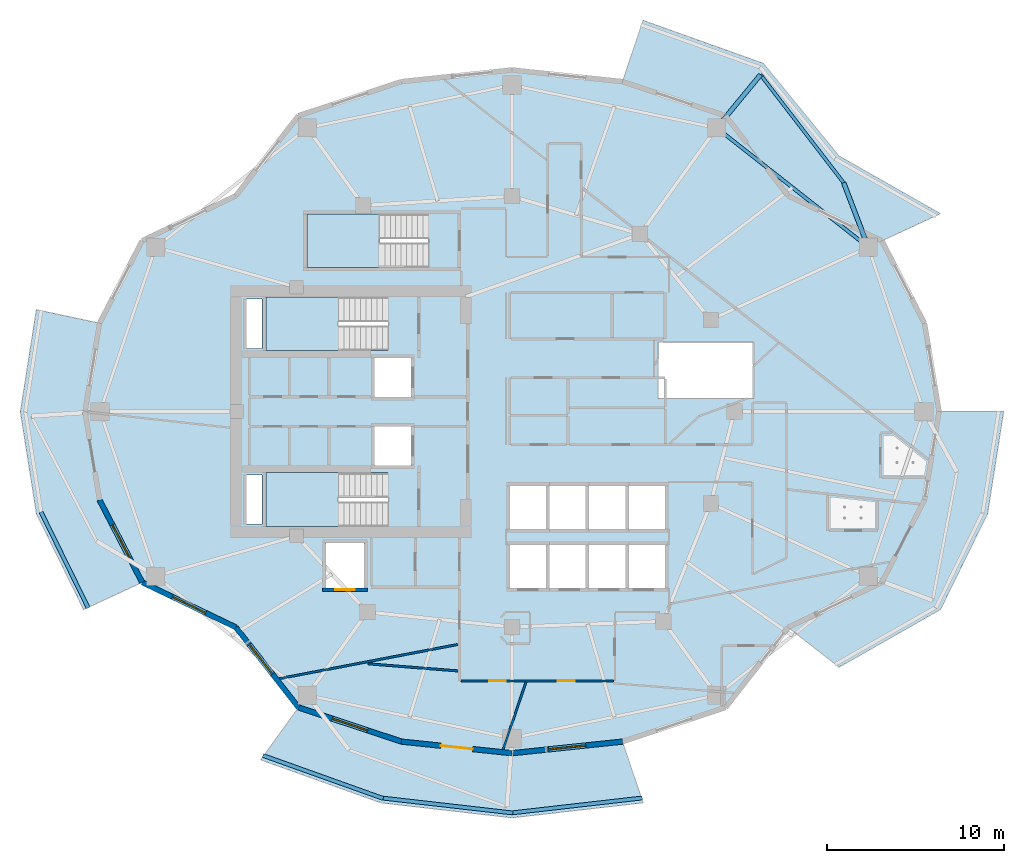
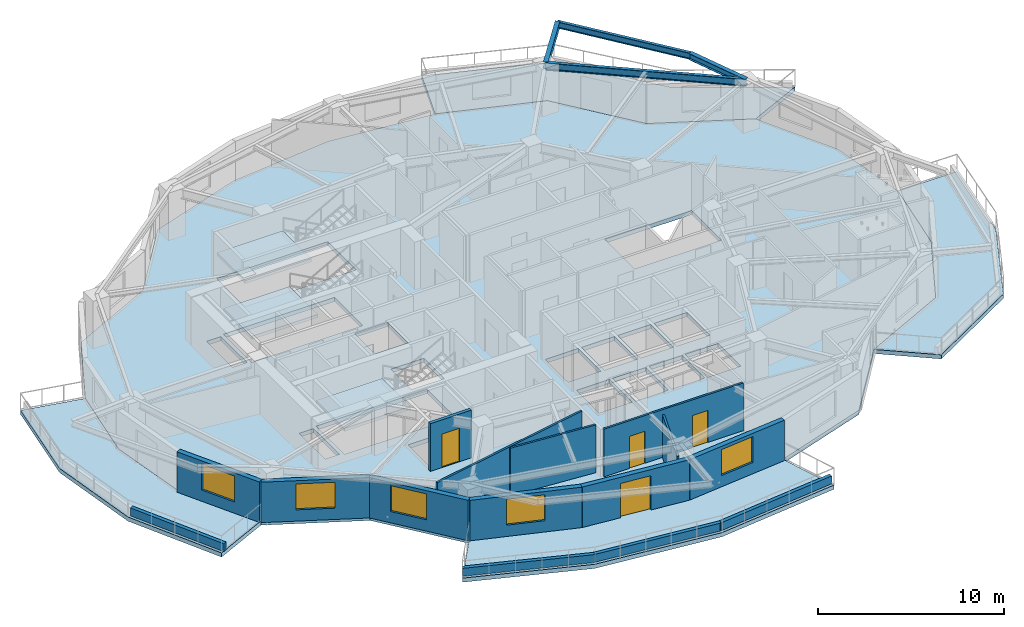
# One storey, part 2 of 14: 15 walls, 8 slabs, 5 windows, 4 beams, 4 doors, 9 openings, 3 elements without a shape of their own.
"""IFC4 building model written with IfcOpenShell, lengths in metres."""

from ifc_helpers import new_model, si_unit, direction, frame, frame_2d, origin, origin_2d, place, context, subcontext, project, spatial, polyline, rectangle, i_section, outline, extrude, material, layer, layer_set, material_profile, profile_set, type_object, element, fill, aggregate, save


model = new_model("IFC4")

# Units and contexts
model_context = context("Model", 3, precision=1e-05, world=origin(), true_north=direction((0.0, 1.0)))
body_context = subcontext(model_context, "Body", "Model", "MODEL_VIEW")
ifc_project = project(units=[si_unit("LENGTHUNIT", "METRE"), si_unit("AREAUNIT", "SQUARE_METRE"), si_unit("VOLUMEUNIT", "CUBIC_METRE"), si_unit("PLANEANGLEUNIT", "RADIAN"), si_unit("MASSUNIT", "GRAM", prefix="KILO")], contexts=[model_context])

# Site, building, storey
site_placement = place(None, origin())
site = spatial("IfcSite", under=ifc_project, at=site_placement, CompositionType="ELEMENT")
building_placement = place(site_placement, origin())
building = spatial("IfcBuilding", under=site, at=building_placement, Name="Kolvaren Gate Tower and Convention Centre", CompositionType="ELEMENT")
storey_placement = place(building_placement, frame((0.0, 0.0, 112.10009765625)))
storey = spatial("IfcBuildingStorey", under=building, at=storey_placement, Name="L27", CompositionType="ELEMENT", Elevation=112.10009765625)

# Beams
ifc_material_1 = material(Name="Structural steel ASTM A992 Grade 345 MPa", Category="steel")
ifc_material_profile_1 = material_profile(ifc_material_1, i_section(OverallWidth=0.260009765625, OverallDepth=0.419921875, WebThickness=0.013427734375, FlangeThickness=0.0224609375, at=origin_2d()), Name="W410X132")
ifc_profile_set_1 = profile_set([ifc_material_profile_1], Name="Structural steel ASTM A992 Grade 345 MPa")
beam_type_1 = type_object("IfcBeamType", Name="STR-BM-W410X132", PredefinedType="BEAM", material=ifc_profile_set_1)
for number, where, z_axis, x_axis, name in (
    (1, (50.30029296875, 36.318603515625, 2.92041015625), (-0.356078629863, 0.934455996479, 0.0), (-0.934455996479, -0.356078629863, 0.0), "Tower L28 Planted Balcony Outrigger Cantilever BC-1A"),
    (2, (41.721435546875, 43.068359375, 2.92041015625), (0.635777466799, 0.771872407014, 0.0), (-0.771872407014, 0.635777466799, 0.0), "Tower L28 Planted Balcony Outrigger Cantilever BC-1B"),
):
    element("IfcBeam", number, at=place(storey_placement, frame(where, z_axis=z_axis, x_axis=x_axis)), inside=storey, type_object=beam_type_1, Name=name, PredefinedType="BEAM", context=body_context, shape_type="SweptSolid", body=[
        extrude(i_section(OverallWidth=0.260009765625, OverallDepth=0.419921875, WebThickness=0.013427734375, FlangeThickness=0.0224609375, at=origin_2d()), origin(), (0.0, 0.0, 1.0), 3.89990234375),
    ])
ifc_material_profile_2 = material_profile(ifc_material_1, i_section(OverallWidth=0.180908203125, OverallDepth=0.4169921875, WebThickness=0.010986328125, FlangeThickness=0.018310546875, at=origin_2d()), Name="W410X85")
ifc_profile_set_2 = profile_set([ifc_material_profile_2], Name="Structural steel ASTM A992 Grade 345 MPa")
beam_type_2 = type_object("IfcBeamType", Name="STR-SP-W410X85", PredefinedType="SPANDREL", material=ifc_profile_set_2)
beam_1_placement = place(storey_placement, frame((48.91162109375, 39.962890625, 2.921875), z_axis=(-0.610222644788, 0.792229969004, 0.0), x_axis=(-0.792229969004, -0.610222644788, 0.0)))
element("IfcBeam", 3, at=beam_1_placement, inside=storey, type_object=beam_type_2, Name="Tower L28 Planted Balcony Header Tie Beam BT-1", PredefinedType="SPANDREL", context=body_context, shape_type="SweptSolid", body=[
    extrude(i_section(OverallWidth=0.180908203125, OverallDepth=0.4169921875, WebThickness=0.010986328125, FlangeThickness=0.018310546875, at=origin_2d()), origin(), (0.0, 0.0, 1.0), 7.7197265625),
])
ifc_material_profile_3 = material_profile(ifc_material_1, i_section(OverallWidth=0.194091796875, OverallDepth=0.468994140625, WebThickness=0.0126953125, FlangeThickness=0.0205078125, at=origin_2d()), Name="W460X106")
ifc_profile_set_3 = profile_set([ifc_material_profile_3], Name="Structural steel ASTM A992 Grade 345 MPa")
beam_type_3 = type_object("IfcBeamType", Name="STR-SP-W460X106", PredefinedType="SPANDREL", material=ifc_profile_set_3)
beam_2_placement = place(storey_placement, frame((50.30029296875, 36.318603515625, 2.8955078125), z_axis=(-0.785907610354, 0.618343939881, 0.0), x_axis=(-0.618343939881, -0.785907610354, 0.0)))
element("IfcBeam", 4, at=beam_2_placement, inside=storey, type_object=beam_type_3, Name="Tower L27 Perimeter Spandrel Beam SP-02", PredefinedType="SPANDREL", context=body_context, shape_type="SweptSolid", body=[
    extrude(i_section(OverallWidth=0.194091796875, OverallDepth=0.468994140625, WebThickness=0.0126953125, FlangeThickness=0.0205078125, at=origin_2d()), origin(), (0.0, 0.0, 1.0), 10.915771484375),
])

# Slabs
ifc_material_2 = material(Name="Concrete C50/60", Category="concrete")
ifc_layer_1 = layer(ifc_material_2, 0.27001953125)
ifc_layer_set_1 = layer_set([ifc_layer_1], Name="Concrete C50/60")
slab_type_1 = type_object("IfcSlabType", Name="STR-SL-BALC-270", PredefinedType="FLOOR", material=ifc_layer_set_1)
slab_1_placement = place(storey_placement, frame((0.0, 0.0, -0.27001953125)))
element("IfcSlab", 5, at=slab_1_placement, inside=storey, type_object=slab_type_1, Name="Tower L27 Planted Balcony Terrace Slab 1 (North)", PredefinedType="FLOOR", context=body_context, shape_type="SweptSolid", body=[
    extrude(outline(polyline([(51.072021484375, 36.675048828125), (45.768798828125, 39.222900390625), (42.21875, 43.757568359375), (36.38525390625, 45.690673828125), (37.547607421875, 49.1611328125), (44.360595703125, 46.725341796875), (48.652587890625, 41.476318359375), (54.394775390625, 38.209716796875), (51.072021484375, 36.675048828125)])), origin(), (0.0, 0.0, 1.0), 0.27001953125),
])
slab_2_placement = place(storey_placement, frame((0.0, 0.0, -0.27001953125)))
element("IfcSlab", 6, at=slab_2_placement, inside=storey, type_object=slab_type_1, Name="Tower L27 Planted Balcony Terrace Slab 2 (West)", PredefinedType="FLOOR", context=body_context, shape_type="SweptSolid", body=[
    extrude(outline(polyline([(6.76171875, 32.008056640625), (5.9375, 27.0), (6.76171875, 21.991943359375), (9.177978515625, 17.324951171875), (5.855224609375, 15.790283203125), (3.18310546875, 21.224853515625), (2.277587890625, 27.0), (3.18310546875, 32.775146484375), (6.76171875, 32.008056640625)])), origin(), (0.0, 0.0, 1.0), 0.27001953125),
])
slab_3_placement = place(storey_placement, frame((0.0, 0.0, -0.27001953125)))
element("IfcSlab", 7, at=slab_3_placement, inside=storey, type_object=slab_type_1, Name="Tower L27 Planted Balcony Terrace Slab 3 (South)", PredefinedType="FLOOR", context=body_context, shape_type="SweptSolid", body=[
    extrude(outline(polyline([(18.03125, 10.242431640625), (23.86474609375, 8.309326171875), (30.125, 7.64990234375), (36.38525390625, 8.309326171875), (37.547607421875, 4.8388671875), (30.125, 3.989990234375), (22.702392578125, 4.8388671875), (15.889404296875, 7.274658203125), (18.03125, 10.242431640625)])), origin(), (0.0, 0.0, 1.0), 0.27001953125),
])
slab_4_placement = place(storey_placement, frame((0.0, 0.0, -0.27001953125)))
element("IfcSlab", 8, at=slab_4_placement, inside=storey, type_object=slab_type_1, Name="Tower L27 Planted Balcony Terrace Slab 4 (East)", PredefinedType="FLOOR", context=body_context, shape_type="SweptSolid", body=[
    extrude(outline(polyline([(45.768798828125, 14.777099609375), (51.072021484375, 17.324951171875), (53.48828125, 21.991943359375), (54.3125, 27.0), (57.972412109375, 27.0), (57.06689453125, 21.224853515625), (54.394775390625, 15.790283203125), (48.652587890625, 12.523681640625), (45.768798828125, 14.777099609375)])), origin(), (0.0, 0.0, 1.0), 0.27001953125),
])
ifc_material_3 = material(Name="Concrete C40/50", Category="concrete")
ifc_layer_2 = layer(ifc_material_3, 0.27001953125)
ifc_layer_set_2 = layer_set([ifc_layer_2], Name="Concrete C40/50")
slab_type_2 = type_object("IfcSlabType", Name="STR-SL-FLR-270", PredefinedType="FLOOR", material=ifc_layer_set_2)
slab_5_placement = place(storey_placement, frame((0.0, 0.0, -0.27001953125)))
element("IfcSlab", 9, at=slab_5_placement, inside=storey, type_object=slab_type_2, Name="Tower L27 Structural Floor Slab", PredefinedType="FLOOR", context=body_context, shape_type="SweptSolid", body=[
    extrude(outline(polyline([(54.3125, 27.0), (53.48828125, 32.008056640625), (51.072021484375, 36.675048828125), (45.768798828125, 39.222900390625), (42.21875, 43.757568359375), (36.38525390625, 45.690673828125), (30.125, 46.35009765625), (23.86474609375, 45.690673828125), (18.03125, 43.757568359375), (14.481201171875, 39.222900390625), (9.177978515625, 36.675048828125), (6.76171875, 32.008056640625), (5.9375, 27.0), (6.76171875, 21.991943359375), (9.177978515625, 17.324951171875), (14.481201171875, 14.777099609375), (18.03125, 10.242431640625), (23.86474609375, 8.309326171875), (30.125, 7.64990234375), (36.38525390625, 8.309326171875), (42.21875, 10.242431640625), (45.768798828125, 14.777099609375), (51.072021484375, 17.324951171875), (53.48828125, 21.991943359375), (54.3125, 27.0)]), holes=[polyline([(38.39990234375, 30.949951171875), (43.800048828125, 30.949951171875), (43.800048828125, 27.75), (38.39990234375, 27.75), (38.39990234375, 30.949951171875)]), polyline([(36.75, 22.800048828125), (38.800048828125, 22.800048828125), (38.800048828125, 20.35009765625), (36.75, 20.35009765625), (36.75, 22.800048828125)]), polyline([(36.75, 17.0), (36.75, 19.449951171875), (38.800048828125, 19.449951171875), (38.800048828125, 17.0), (36.75, 17.0)]), polyline([(34.5, 20.35009765625), (34.5, 22.800048828125), (36.550048828125, 22.800048828125), (36.550048828125, 20.35009765625), (34.5, 20.35009765625)]), polyline([(34.5, 17.0), (34.5, 19.449951171875), (36.550048828125, 19.449951171875), (36.550048828125, 17.0), (34.5, 17.0)]), polyline([(32.25, 20.35009765625), (32.25, 22.800048828125), (34.300048828125, 22.800048828125), (34.300048828125, 20.35009765625), (32.25, 20.35009765625)]), polyline([(32.25, 17.0), (32.25, 19.449951171875), (34.300048828125, 19.449951171875), (34.300048828125, 17.0), (32.25, 17.0)]), polyline([(30.0, 17.0), (30.0, 19.449951171875), (32.050048828125, 19.449951171875), (32.050048828125, 17.0), (30.0, 17.0)]), polyline([(30.0, 20.35009765625), (30.0, 22.800048828125), (32.050048828125, 22.800048828125), (32.050048828125, 20.35009765625), (30.0, 20.35009765625)]), polyline([(25.39990234375, 38.199951171875), (25.39990234375, 35.159912109375), (18.5, 35.159912109375), (18.5, 38.199951171875), (25.39990234375, 38.199951171875)]), polyline([(22.35009765625, 27.840087890625), (22.35009765625, 30.0400390625), (24.39990234375, 30.0400390625), (24.39990234375, 27.840087890625), (22.35009765625, 27.840087890625)]), polyline([(22.35009765625, 23.9599609375), (22.35009765625, 26.159912109375), (24.39990234375, 26.159912109375), (24.39990234375, 23.9599609375), (22.35009765625, 23.9599609375)]), polyline([(23.10009765625, 33.5), (23.10009765625, 30.4599609375), (16.199951171875, 30.4599609375), (16.199951171875, 33.5), (23.10009765625, 33.5)]), polyline([(23.10009765625, 23.5400390625), (23.10009765625, 20.5), (16.199951171875, 20.5), (16.199951171875, 23.5400390625), (23.10009765625, 23.5400390625)]), polyline([(19.60009765625, 17.0), (19.60009765625, 19.550048828125), (21.75, 19.550048828125), (21.75, 17.0), (19.60009765625, 17.0)]), polyline([(15.080078125, 20.6298828125), (15.080078125, 23.419921875), (15.969970703125, 23.419921875), (15.969970703125, 20.6298828125), (15.080078125, 20.6298828125)]), polyline([(15.080078125, 30.580078125), (15.080078125, 33.3701171875), (15.969970703125, 33.3701171875), (15.969970703125, 30.580078125), (15.080078125, 30.580078125)])]), origin(), (0.0, 0.0, 1.0), 0.27001953125),
])

# Stair, slab
stair_type = type_object("IfcStairType", Name="STR-STAIR-CORE", PredefinedType="HALF_TURN_STAIR", material=ifc_material_2)
stair_1_placement = place(storey_placement, origin())
stair_1 = element("IfcStair", 10, at=stair_1_placement, inside=storey, type_object=stair_type, Name="L27 Tower North Exit Stair ST-T1", PredefinedType="HALF_TURN_STAIR")
ifc_layer_3 = layer(ifc_material_2, 0.199951171875)
ifc_layer_set_3 = layer_set([ifc_layer_3], Name="Concrete C50/60")
slab_type_3 = type_object("IfcSlabType", Name="STR-SL-LAND-200", PredefinedType="LANDING", material=ifc_layer_set_3)
slab_6_placement = place(storey_placement, frame((0.0, 0.0, 1.5)))
slab_6 = element("IfcSlab", 11, at=slab_6_placement, type_object=slab_type_3, Name="ST-T1 landing 1", PredefinedType="LANDING", context=body_context, shape_type="SweptSolid", body=[
    extrude(outline(polyline([(20.31005859375, 33.5), (16.199951171875, 33.5), (16.199951171875, 30.4599609375), (20.31005859375, 30.4599609375), (20.31005859375, 33.5)])), origin(), (0.0, 0.0, 1.0), 0.199951171875),
])
aggregate(stair_1, [slab_6])

stair_2_placement = place(storey_placement, origin())
stair_2 = element("IfcStair", 12, at=stair_2_placement, inside=storey, type_object=stair_type, Name="L27 Tower South Exit Stair ST-T2", PredefinedType="HALF_TURN_STAIR")
slab_7_placement = place(storey_placement, frame((0.0, 0.0, 1.5)))
slab_7 = element("IfcSlab", 13, at=slab_7_placement, type_object=slab_type_3, Name="ST-T2 landing 1", PredefinedType="LANDING", context=body_context, shape_type="SweptSolid", body=[
    extrude(outline(polyline([(20.31005859375, 23.5400390625), (16.199951171875, 23.5400390625), (16.199951171875, 20.5), (20.31005859375, 20.5), (20.31005859375, 23.5400390625)])), origin(), (0.0, 0.0, 1.0), 0.199951171875),
])
aggregate(stair_2, [slab_7])

stair_3_placement = place(storey_placement, origin())
stair_3 = element("IfcStair", 14, at=stair_3_placement, inside=storey, type_object=stair_type, Name="L27 Tower Mid-Zone Exit Stair ST-T3", PredefinedType="HALF_TURN_STAIR")
slab_8_placement = place(storey_placement, frame((0.0, 0.0, 1.5)))
slab_8 = element("IfcSlab", 15, at=slab_8_placement, type_object=slab_type_3, Name="ST-T3 landing 1", PredefinedType="LANDING", context=body_context, shape_type="SweptSolid", body=[
    extrude(outline(polyline([(22.610107421875, 38.199951171875), (18.5, 38.199951171875), (18.5, 35.159912109375), (22.610107421875, 35.159912109375), (22.610107421875, 38.199951171875)])), origin(), (0.0, 0.0, 1.0), 0.199951171875),
])
aggregate(stair_3, [slab_8])

# Wall, openings, doors
ifc_material_4 = material(Name="Fire-Rated Acoustic Gypsum Stud Partition", Category="gypsum")
ifc_layer_4 = layer(ifc_material_4, 0.1201171875)
ifc_layer_set_4 = layer_set([ifc_layer_4], Name="Fire-Rated Acoustic Gypsum Stud Partition")
wall_type_1 = type_object("IfcWallType", Name="ARCH-WL-PART-120", PredefinedType="PARTITIONING", material=ifc_layer_set_4)
wall_1_placement = place(storey_placement, frame((27.241943359375, 11.75, 0.0), z_axis=(0.0, 0.0, 1.0), x_axis=(1.0, 0.0, 0.0)))
wall_1 = element("IfcWall", 16, at=wall_1_placement, inside=storey, type_object=wall_type_1, Name="Interior Partition WL-L27-INT-032", PredefinedType="PARTITIONING", context=body_context, shape_type="SweptSolid", body=[
    extrude(rectangle(XDim=8.64599609375, YDim=0.1201171875, at=frame_2d((4.322998046875, 0.0))), origin(), (0.0, 0.0, 1.0), 3.1298828125),
])
opening_1_placement = place(wall_1_placement, frame((1.585693359375, 0.0, 0.0)))
opening_1 = element("IfcOpeningElement", 17, at=opening_1_placement, cuts=wall_1, Name="Opening DR-01", PredefinedType="OPENING", context=body_context, shape_type="SweptSolid", body=[
    extrude(rectangle(XDim=0.949951171875, YDim=2.10009765625, at=frame_2d((0.47509765625, 1.050048828125))), frame((0.0, 0.070068359375, 0.0), z_axis=(0.0, -1.0, 0.0), x_axis=(1.0, 0.0, 0.0)), (0.0, 0.0, 1.0), 0.14013671875),
])
opening_2_placement = place(wall_1_placement, frame((5.4853515625, 0.0, 0.0)))
opening_2 = element("IfcOpeningElement", 18, at=opening_2_placement, cuts=wall_1, Name="Opening DR-01", PredefinedType="OPENING", context=body_context, shape_type="SweptSolid", body=[
    extrude(rectangle(XDim=0.949951171875, YDim=2.10009765625, at=frame_2d((0.47509765625, 1.050048828125))), frame((0.0, 0.070068359375, 0.0), z_axis=(0.0, -1.0, 0.0), x_axis=(1.0, 0.0, 0.0)), (0.0, 0.0, 1.0), 0.14013671875),
])
ifc_material_5 = material(Name="Painted Architectural Steelwork ASTM A500 Grade C 345 MPa", Category="steel")
door_type_1 = type_object("IfcDoorType", Name="ARCH-DR-RISER-950", OperationType="SINGLE_SWING_RIGHT", PredefinedType="DOOR", material=ifc_material_5)
door_1_placement = place(opening_1_placement, origin())
door_1 = element("IfcDoor", 19, at=door_1_placement, inside=storey, type_object=door_type_1, Name="Hotel Executive Business Office Door", OperationType="SINGLE_SWING_RIGHT", OverallHeight=2.10009765625, OverallWidth=0.949951171875, PredefinedType="DOOR", context=body_context, shape_type="SweptSolid", body=[
    extrude(rectangle(XDim=0.949951171875, YDim=2.10009765625, at=frame_2d((0.47509765625, 1.050048828125))), frame((0.0, 0.02490234375, 0.0), z_axis=(0.0, -1.0, 0.0), x_axis=(1.0, 0.0, 0.0)), (0.0, 0.0, 1.0), 0.050048828125),
])
fill(opening_1, door_1)
door_2_placement = place(opening_2_placement, origin())
door_2 = element("IfcDoor", 20, at=door_2_placement, inside=storey, type_object=door_type_1, Name="Hotel Executive Business Office Door", OperationType="SINGLE_SWING_LEFT", OverallHeight=2.10009765625, OverallWidth=0.949951171875, PredefinedType="DOOR", context=body_context, shape_type="SweptSolid", body=[
    extrude(rectangle(XDim=0.949951171875, YDim=2.10009765625, at=frame_2d((0.47509765625, 1.050048828125))), frame((0.0, 0.02490234375, 0.0), z_axis=(0.0, -1.0, 0.0), x_axis=(1.0, 0.0, 0.0)), (0.0, 0.0, 1.0), 0.050048828125),
])
fill(opening_2, door_2)

# Walls
wall_2_placement = place(storey_placement, frame((16.94580078125, 11.875244140625, 0.0), z_axis=(0.0, 0.0, 1.0), x_axis=(0.982161714761, 0.188038203719, 0.0)))
element("IfcWall", 21, at=wall_2_placement, inside=storey, type_object=wall_type_1, Name="Interior Partition WL-L27-INT-058", PredefinedType="PARTITIONING", context=body_context, shape_type="SweptSolid", body=[
    extrude(rectangle(XDim=10.2958984375, YDim=0.1201171875, at=frame_2d((5.14794921875, 0.0))), origin(), (0.0, 0.0, 1.0), 3.1298828125),
])
wall_3_placement = place(storey_placement, frame((21.97802734375, 12.714599609375, 0.0), z_axis=(0.0, 0.0, 1.0), x_axis=(0.99686323312, -0.079143505436, 0.0)))
element("IfcWall", 22, at=wall_3_placement, inside=storey, type_object=wall_type_1, Name="Interior Partition WL-L27-INT-060", PredefinedType="PARTITIONING", context=body_context, shape_type="SweptSolid", body=[
    extrude(rectangle(XDim=5.095947265625, YDim=0.1201171875, at=frame_2d((2.5478515625, 0.0))), origin(), (0.0, 0.0, 1.0), 3.1298828125),
])
wall_4_placement = place(storey_placement, frame((29.617919921875, 7.856201171875, 0.0), z_axis=(0.0, 0.0, 1.0), x_axis=(0.321507920556, 0.946906889308, 0.0)))
element("IfcWall", 23, at=wall_4_placement, inside=storey, type_object=wall_type_1, Name="Interior Partition WL-L27-INT-062", PredefinedType="PARTITIONING", context=body_context, shape_type="SweptSolid", body=[
    extrude(rectangle(XDim=4.046630859375, YDim=0.1201171875, at=frame_2d((2.0234375, 0.0))), origin(), (0.0, 0.0, 1.0), 2.81201171875),
])
ifc_material_6 = material(Name="Piedmont Cream Honed Limestone Cladding", Category="masonry")
ifc_layer_5 = layer(ifc_material_6, 0.219970703125)
ifc_layer_set_5 = layer_set([ifc_layer_5], Name="Piedmont Cream Honed Limestone Cladding")
wall_type_2 = type_object("IfcWallType", Name="ARCH-WL-PLANTER-220", PredefinedType="PARAPET", material=ifc_layer_set_5)
wall_5_placement = place(storey_placement, frame((3.44873046875, 21.31298828125, 0.0), z_axis=(0.0, 0.0, 1.0), x_axis=(0.441269631716, -0.897374566235, 0.0)))
element("IfcWall", 24, at=wall_5_placement, inside=storey, type_object=wall_type_2, Name="Vertical-Forest Balcony Stone Planter Kerb PK-L27-2.3", PredefinedType="PARAPET", context=body_context, shape_type="SweptSolid", body=[
    extrude(rectangle(XDim=6.05615234375, YDim=0.219970703125, at=frame_2d((3.028076171875, 0.0))), origin(), (0.0, 0.0, 1.0), 0.52001953125),
])
wall_6_placement = place(storey_placement, frame((16.017822265625, 7.523193359375, 0.0), z_axis=(0.0, 0.0, 1.0), x_axis=(0.941632697311, -0.336642040387, 0.0)))
element("IfcWall", 25, at=wall_6_placement, inside=storey, type_object=wall_type_2, Name="Vertical-Forest Balcony Stone Planter Kerb PK-L27-3.1", PredefinedType="PARAPET", context=body_context, shape_type="SweptSolid", body=[
    extrude(rectangle(XDim=7.235595703125, YDim=0.219970703125, at=frame_2d((3.61767578125, 0.0))), origin(), (0.0, 0.0, 1.0), 0.52001953125),
])
for number, where, z_axis, x_axis, name in (
    (26, (22.747802734375, 5.114990234375, 0.0), (0.0, 0.0, 1.0), (0.993527615836, -0.11359082961, 0.0), "Vertical-Forest Balcony Stone Planter Kerb PK-L27-3.2"),
    (27, (30.07958984375, 4.266357421875, 0.0), (0.0, 0.0, 1.0), (0.993527615836, 0.11359082961, 0.0), "Vertical-Forest Balcony Stone Planter Kerb PK-L27-3.3"),
):
    element("IfcWall", number, at=place(storey_placement, frame(where, z_axis=z_axis, x_axis=x_axis)), inside=storey, type_object=wall_type_2, Name=name, PredefinedType="PARAPET", context=body_context, shape_type="SweptSolid", body=[
        extrude(rectangle(XDim=7.470947265625, YDim=0.219970703125, at=frame_2d((3.7353515625, 0.0))), origin(), (0.0, 0.0, 1.0), 0.52001953125),
    ])

# Wall, opening, door
ifc_material_7 = material(Name="Autoclaved Aerated Masonry Blockwork Class 4 (4.0 MPa)", Category="masonry")
ifc_layer_6 = layer(ifc_material_7, 0.199951171875)
ifc_layer_set_6 = layer_set([ifc_layer_6], Name="Autoclaved Aerated Masonry Blockwork Class 4 (4.0 MPa)")
wall_type_3 = type_object("IfcWallType", Name="ARCH-WL-SHAFT-200", PredefinedType="SOLIDWALL", material=ifc_layer_set_6)
wall_7_placement = place(storey_placement, frame((19.39990234375, 16.89990234375, 0.0), z_axis=(0.0, 0.0, 1.0), x_axis=(1.0, 0.0, 0.0)))
wall_7 = element("IfcWall", 28, at=wall_7_placement, inside=storey, type_object=wall_type_3, Name="Elevator SV-01 L27 Fire Shaft Wall S", PredefinedType="SOLIDWALL", context=body_context, shape_type="SweptSolid", body=[
    extrude(rectangle(XDim=2.550048828125, YDim=0.199951171875, at=frame_2d((1.27490234375, 0.0))), origin(), (0.0, 0.0, 1.0), 3.1298828125),
])
opening_3_placement = place(wall_7_placement, frame((0.72509765625, 0.0, 0.0)))
opening_3 = element("IfcOpeningElement", 29, at=opening_3_placement, cuts=wall_7, Name="Opening LD", PredefinedType="OPENING", context=body_context, shape_type="SweptSolid", body=[
    extrude(rectangle(XDim=1.10009765625, YDim=2.199951171875, at=frame_2d((0.550048828125, 1.10009765625))), frame((0.0, 0.10986328125, 0.0), z_axis=(0.0, -1.0, 0.0), x_axis=(1.0, 0.0, 0.0)), (0.0, 0.0, 1.0), 0.219970703125),
])
ifc_material_8 = material(Name="Brushed Stainless Steel Grade 316L", Category="steel")
door_type_2 = type_object("IfcDoorType", Name="ARCH-DR-LIFT-1100", OperationType="SLIDING_TO_LEFT", PredefinedType="DOOR", material=ifc_material_8)
door_3_placement = place(opening_3_placement, origin())
door_3 = element("IfcDoor", 30, at=door_3_placement, inside=storey, type_object=door_type_2, Name="Elevator SV-01 L27 Sliding Landing Door", OperationType="SLIDING_TO_LEFT", OverallHeight=2.199951171875, OverallWidth=1.10009765625, PredefinedType="DOOR", context=body_context, shape_type="SweptSolid", body=[
    extrude(rectangle(XDim=1.10009765625, YDim=2.199951171875, at=frame_2d((0.550048828125, 1.10009765625))), frame((0.0, 0.02490234375, 0.0), z_axis=(0.0, -1.0, 0.0), x_axis=(1.0, 0.0, 0.0)), (0.0, 0.0, 1.0), 0.050048828125),
])
fill(opening_3, door_3)

# Wall, opening, window
ifc_layer_7 = layer(ifc_material_6, 0.300048828125)
ifc_layer_set_7 = layer_set([ifc_layer_7], Name="Piedmont Cream Honed Limestone Cladding")
wall_type_4 = type_object("IfcWallType", Name="ARCH-WL-STONE-300", PredefinedType="SOLIDWALL", material=ifc_layer_set_7)
wall_8_placement = place(storey_placement, frame((6.76171875, 21.991943359375, 0.0), z_axis=(0.0, 0.0, 1.0), x_axis=(0.459767899643, -0.888039119892, 0.0)))
wall_8 = element("IfcWall", 31, at=wall_8_placement, inside=storey, type_object=wall_type_4, Name="Tower L27 Honed Stone Spandrel Wall EW-13", PredefinedType="SOLIDWALL", context=body_context, shape_type="SweptSolid", body=[
    extrude(rectangle(XDim=5.25537109375, YDim=0.300048828125, at=frame_2d((2.627685546875, 0.0))), origin(), (0.0, 0.0, 1.0), 2.65283203125),
])
opening_4_placement = place(wall_8_placement, frame((1.577880859375, 0.0, 0.739990234375)))
opening_4 = element("IfcOpeningElement", 32, at=opening_4_placement, cuts=wall_8, Name="Opening W-02", PredefinedType="OPENING", context=body_context, shape_type="SweptSolid", body=[
    extrude(rectangle(XDim=2.10009765625, YDim=1.699951171875, at=frame_2d((1.050048828125, 0.85009765625))), frame((0.0, 0.159912109375, 0.0), z_axis=(0.0, -1.0, 0.0), x_axis=(1.0, 0.0, 0.0)), (0.0, 0.0, 1.0), 0.320068359375),
])
ifc_material_9 = material(Name="Low-E Triple Insulated Glazing Unit 44 mm", Category="glass")
window_type = type_object("IfcWindowType", Name="ARCH-WN-HTL-2100", PartitioningType="SINGLE_PANEL", PredefinedType="WINDOW", material=ifc_material_9)
window_1_placement = place(opening_4_placement, origin())
window_1 = element("IfcWindow", 33, at=window_1_placement, inside=storey, type_object=window_type, Name="Tower L27 Punched Stone Facade Window W-13", OverallHeight=1.699951171875, OverallWidth=2.10009765625, PartitioningType="SINGLE_PANEL", PredefinedType="WINDOW", context=body_context, shape_type="SweptSolid", body=[
    extrude(rectangle(XDim=2.10009765625, YDim=1.699951171875, at=frame_2d((1.050048828125, 0.85009765625))), frame((0.0, 0.030029296875, 0.0), z_axis=(0.0, -1.0, 0.0), x_axis=(1.0, 0.0, 0.0)), (0.0, 0.0, 1.0), 0.06005859375),
])
fill(opening_4, window_1)

wall_9_placement = place(storey_placement, frame((9.177978515625, 17.324951171875, 0.0), z_axis=(0.0, 0.0, 1.0), x_axis=(0.901370184739, -0.433049408339, 0.0)))
wall_9 = element("IfcWall", 34, at=wall_9_placement, inside=storey, type_object=wall_type_4, Name="Tower L27 Honed Stone Spandrel Wall EW-14", PredefinedType="SOLIDWALL", context=body_context, shape_type="SweptSolid", body=[
    extrude(rectangle(XDim=5.883544921875, YDim=0.300048828125, at=frame_2d((2.94189453125, 0.0))), origin(), (0.0, 0.0, 1.0), 2.65283203125),
])
opening_5_placement = place(wall_9_placement, frame((1.89208984375, 0.0, 0.739990234375)))
opening_5 = element("IfcOpeningElement", 35, at=opening_5_placement, cuts=wall_9, Name="Opening W-02", PredefinedType="OPENING", context=body_context, shape_type="SweptSolid", body=[
    extrude(rectangle(XDim=2.10009765625, YDim=1.699951171875, at=frame_2d((1.050048828125, 0.85009765625))), frame((0.0, 0.159912109375, 0.0), z_axis=(0.0, -1.0, 0.0), x_axis=(1.0, 0.0, 0.0)), (0.0, 0.0, 1.0), 0.320068359375),
])
window_2_placement = place(opening_5_placement, origin())
window_2 = element("IfcWindow", 36, at=window_2_placement, inside=storey, type_object=window_type, Name="Tower L27 Punched Stone Facade Window W-14", OverallHeight=1.699951171875, OverallWidth=2.10009765625, PartitioningType="SINGLE_PANEL", PredefinedType="WINDOW", context=body_context, shape_type="SweptSolid", body=[
    extrude(rectangle(XDim=2.10009765625, YDim=1.699951171875, at=frame_2d((1.050048828125, 0.85009765625))), frame((0.0, 0.030029296875, 0.0), z_axis=(0.0, -1.0, 0.0), x_axis=(1.0, 0.0, 0.0)), (0.0, 0.0, 1.0), 0.06005859375),
])
fill(opening_5, window_2)

wall_10_placement = place(storey_placement, frame((14.481201171875, 14.777099609375, 0.0), z_axis=(0.0, 0.0, 1.0), x_axis=(0.616435134162, -0.787405693001, 0.0)))
wall_10 = element("IfcWall", 37, at=wall_10_placement, inside=storey, type_object=wall_type_4, Name="Tower L27 Honed Stone Spandrel Wall EW-15", PredefinedType="SOLIDWALL", context=body_context, shape_type="SweptSolid", body=[
    extrude(rectangle(XDim=5.759033203125, YDim=0.300048828125, at=frame_2d((2.87939453125, 0.0))), origin(), (0.0, 0.0, 1.0), 2.65283203125),
])
opening_6_placement = place(wall_10_placement, frame((1.25, 0.0, 0.739990234375)))
opening_6 = element("IfcOpeningElement", 38, at=opening_6_placement, cuts=wall_10, Name="Opening W-02", PredefinedType="OPENING", context=body_context, shape_type="SweptSolid", body=[
    extrude(rectangle(XDim=2.10009765625, YDim=1.699951171875, at=frame_2d((1.050048828125, 0.85009765625))), frame((0.0, 0.159912109375, 0.0), z_axis=(0.0, -1.0, 0.0), x_axis=(1.0, 0.0, 0.0)), (0.0, 0.0, 1.0), 0.320068359375),
])
window_3_placement = place(opening_6_placement, origin())
window_3 = element("IfcWindow", 39, at=window_3_placement, inside=storey, type_object=window_type, Name="Tower L27 Punched Stone Facade Window W-15", OverallHeight=1.699951171875, OverallWidth=2.10009765625, PartitioningType="SINGLE_PANEL", PredefinedType="WINDOW", context=body_context, shape_type="SweptSolid", body=[
    extrude(rectangle(XDim=2.10009765625, YDim=1.699951171875, at=frame_2d((1.050048828125, 0.85009765625))), frame((0.0, 0.030029296875, 0.0), z_axis=(0.0, -1.0, 0.0), x_axis=(1.0, 0.0, 0.0)), (0.0, 0.0, 1.0), 0.06005859375),
])
fill(opening_6, window_3)

wall_11_placement = place(storey_placement, frame((18.03125, 10.242431640625, 0.0), z_axis=(0.0, 0.0, 1.0), x_axis=(0.949238009374, -0.314558741032, 0.0)))
wall_11 = element("IfcWall", 40, at=wall_11_placement, inside=storey, type_object=wall_type_4, Name="Tower L27 Honed Stone Spandrel Wall EW-16", PredefinedType="SOLIDWALL", context=body_context, shape_type="SweptSolid", body=[
    extrude(rectangle(XDim=6.1455078125, YDim=0.300048828125, at=frame_2d((3.07275390625, 0.0))), origin(), (0.0, 0.0, 1.0), 2.65283203125),
])
opening_7_placement = place(wall_11_placement, frame((2.02294921875, 0.0, 0.739990234375)))
opening_7 = element("IfcOpeningElement", 41, at=opening_7_placement, cuts=wall_11, Name="Opening W-02", PredefinedType="OPENING", context=body_context, shape_type="SweptSolid", body=[
    extrude(rectangle(XDim=2.10009765625, YDim=1.699951171875, at=frame_2d((1.050048828125, 0.85009765625))), frame((0.0, 0.159912109375, 0.0), z_axis=(0.0, -1.0, 0.0), x_axis=(1.0, 0.0, 0.0)), (0.0, 0.0, 1.0), 0.320068359375),
])
window_4_placement = place(opening_7_placement, origin())
window_4 = element("IfcWindow", 42, at=window_4_placement, inside=storey, type_object=window_type, Name="Tower L27 Punched Stone Facade Window W-16", OverallHeight=1.699951171875, OverallWidth=2.10009765625, PartitioningType="SINGLE_PANEL", PredefinedType="WINDOW", context=body_context, shape_type="SweptSolid", body=[
    extrude(rectangle(XDim=2.10009765625, YDim=1.699951171875, at=frame_2d((1.050048828125, 0.85009765625))), frame((0.0, 0.030029296875, 0.0), z_axis=(0.0, -1.0, 0.0), x_axis=(1.0, 0.0, 0.0)), (0.0, 0.0, 1.0), 0.06005859375),
])
fill(opening_7, window_4)

# Wall, opening, door
wall_12_placement = place(storey_placement, frame((23.86474609375, 8.309326171875, 0.0), z_axis=(0.0, 0.0, 1.0), x_axis=(0.994498012394, -0.104755445421, 0.0)))
wall_12 = element("IfcWall", 43, at=wall_12_placement, inside=storey, type_object=wall_type_4, Name="Tower L27 Honed Stone Spandrel Wall EW-17", PredefinedType="SOLIDWALL", context=body_context, shape_type="SweptSolid", body=[
    extrude(rectangle(XDim=6.294921875, YDim=0.300048828125, at=frame_2d((3.1474609375, 0.0))), origin(), (0.0, 0.0, 1.0), 2.65283203125),
])
opening_8_placement = place(wall_12_placement, frame((2.2470703125, 0.0, 0.0)))
opening_8 = element("IfcOpeningElement", 44, at=opening_8_placement, cuts=wall_12, Name="Opening DB-01", PredefinedType="OPENING", context=body_context, shape_type="SweptSolid", body=[
    extrude(rectangle(XDim=1.800048828125, YDim=2.25, at=frame_2d((0.89990234375, 1.125))), frame((0.0, 0.159912109375, 0.0), z_axis=(0.0, -1.0, 0.0), x_axis=(1.0, 0.0, 0.0)), (0.0, 0.0, 1.0), 0.320068359375),
])
ifc_material_10 = material(Name="Anodized Architectural Aluminium Alloy 6063-T6", Category="aluminium")
door_type_3 = type_object("IfcDoorType", Name="ARCH-DR-BALC-1800", OperationType="SLIDING_TO_LEFT", PredefinedType="DOOR", material=ifc_material_10)
door_4_placement = place(opening_8_placement, frame((1.800048828125, 0.0, 0.0), z_axis=(0.0, 0.0, 1.0), x_axis=(-1.0, 0.0, 0.0)))
door_4 = element("IfcDoor", 45, at=door_4_placement, inside=storey, type_object=door_type_3, Name="Planted Sky Terrace Access Door DB-L27-17", OperationType="SLIDING_TO_LEFT", OverallHeight=2.25, OverallWidth=1.800048828125, PredefinedType="DOOR", context=body_context, shape_type="SweptSolid", body=[
    extrude(rectangle(XDim=1.800048828125, YDim=2.25, at=frame_2d((0.89990234375, 1.125))), frame((0.0, 0.02490234375, 0.0), z_axis=(0.0, -1.0, 0.0), x_axis=(1.0, 0.0, 0.0)), (0.0, 0.0, 1.0), 0.050048828125),
])
fill(opening_8, door_4)

# Wall, opening, window
wall_13_placement = place(storey_placement, frame((30.125, 7.64990234375, 0.0), z_axis=(0.0, 0.0, 1.0), x_axis=(0.994498012394, 0.104755445421, 0.0)))
wall_13 = element("IfcWall", 46, at=wall_13_placement, inside=storey, type_object=wall_type_4, Name="Tower L27 Honed Stone Spandrel Wall EW-18", PredefinedType="SOLIDWALL", context=body_context, shape_type="SweptSolid", body=[
    extrude(rectangle(XDim=6.294921875, YDim=0.300048828125, at=frame_2d((3.1474609375, 0.0))), origin(), (0.0, 0.0, 1.0), 2.65283203125),
])
opening_9_placement = place(wall_13_placement, frame((2.096923828125, 0.0, 0.739990234375)))
opening_9 = element("IfcOpeningElement", 47, at=opening_9_placement, cuts=wall_13, Name="Opening W-02", PredefinedType="OPENING", context=body_context, shape_type="SweptSolid", body=[
    extrude(rectangle(XDim=2.10009765625, YDim=1.699951171875, at=frame_2d((1.050048828125, 0.85009765625))), frame((0.0, 0.159912109375, 0.0), z_axis=(0.0, -1.0, 0.0), x_axis=(1.0, 0.0, 0.0)), (0.0, 0.0, 1.0), 0.320068359375),
])
window_5_placement = place(opening_9_placement, origin())
window_5 = element("IfcWindow", 48, at=window_5_placement, inside=storey, type_object=window_type, Name="Tower L27 Punched Stone Facade Window W-18", OverallHeight=1.699951171875, OverallWidth=2.10009765625, PartitioningType="SINGLE_PANEL", PredefinedType="WINDOW", context=body_context, shape_type="SweptSolid", body=[
    extrude(rectangle(XDim=2.10009765625, YDim=1.699951171875, at=frame_2d((1.050048828125, 0.85009765625))), frame((0.0, 0.030029296875, 0.0), z_axis=(0.0, -1.0, 0.0), x_axis=(1.0, 0.0, 0.0)), (0.0, 0.0, 1.0), 0.06005859375),
])
fill(opening_9, window_5)

save(model, "model.ifc")
